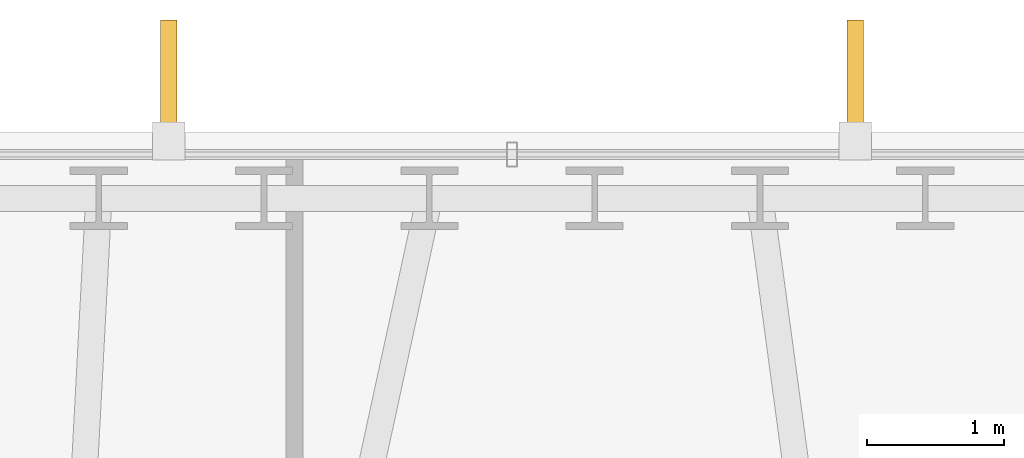
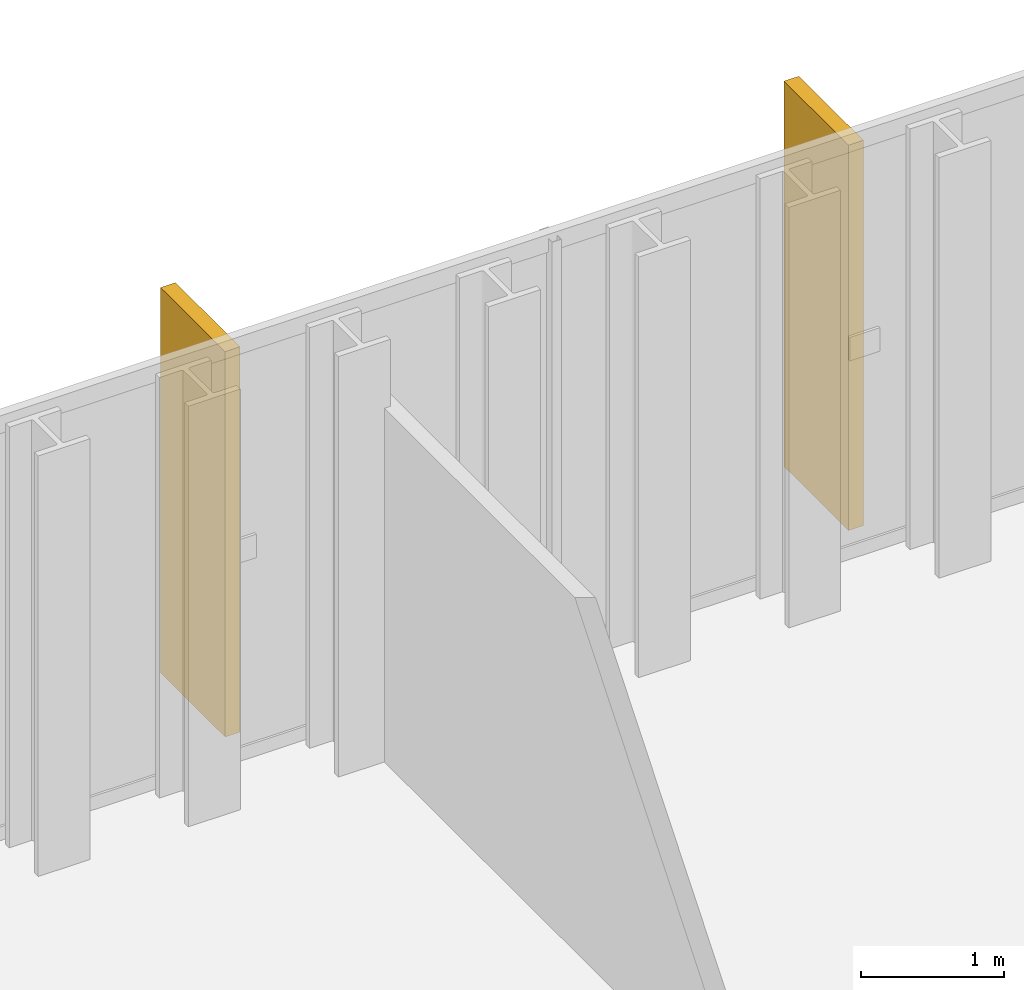
# One storey, part 35 of 35: 2 shading devices.
"""IFC4 building model written with IfcOpenShell, lengths in metres."""

from ifc_helpers import new_model, si_unit, direction, frame, origin, origin_2d, place, context, subcontext, project, spatial, rectangle, extrude, material, type_object, element, save


model = new_model("IFC4")

# Units and contexts
model_context = context("Model", 3, precision=1e-05, world=origin(), true_north=direction((0.0, 1.0)))
body_context = subcontext(model_context, "Body", "Model", "MODEL_VIEW")
ifc_project = project(units=[si_unit("LENGTHUNIT", "METRE"), si_unit("AREAUNIT", "SQUARE_METRE"), si_unit("VOLUMEUNIT", "CUBIC_METRE"), si_unit("PLANEANGLEUNIT", "RADIAN"), si_unit("MASSUNIT", "GRAM", prefix="KILO")], contexts=[model_context])

# Site, building, storey
site_placement = place(None, origin())
site = spatial("IfcSite", under=ifc_project, at=site_placement, CompositionType="ELEMENT")
building_placement = place(site_placement, origin())
building = spatial("IfcBuilding", under=site, at=building_placement, Name="Ndaravel Arena Tower", CompositionType="ELEMENT")
storey_placement = place(building_placement, frame((0.0, 0.0, 172.60009765625)))
storey = spatial("IfcBuildingStorey", under=building, at=storey_placement, Name="L41", CompositionType="ELEMENT", Elevation=172.60009765625)

# Shading devices
ifc_material = material(Name="Masonry", Category="masonry")
shading_device_type = type_object("IfcShadingDeviceType", Name="SHD-MAZERAS-FIN", PredefinedType="SHUTTER", material=ifc_material)
for number, where, z_axis, x_axis, name in (
    (1, (44.509521484375, 46.7822265625, 0.14990234375), (0.0, 0.0, 1.0), (0.0, 1.0, 0.0), "L41 Mazeras Stone Solar Fin E4.1"),
    (2, (39.490478515625, 46.7822265625, 0.14990234375), (0.0, 0.0, 1.0), (0.0, 1.0, 0.0), "L41 Mazeras Stone Solar Fin E4.2"),
):
    element("IfcShadingDevice", number, at=place(storey_placement, frame(where, z_axis=z_axis, x_axis=x_axis)), inside=storey, type_object=shading_device_type, Name=name, PredefinedType="SHUTTER", context=body_context, shape_type="SweptSolid", body=[
        extrude(rectangle(XDim=0.89990234375, YDim=0.1201171875, at=origin_2d()), origin(), (0.0, 0.0, 1.0), 3.280029296875),
    ])

save(model, "model.ifc")
